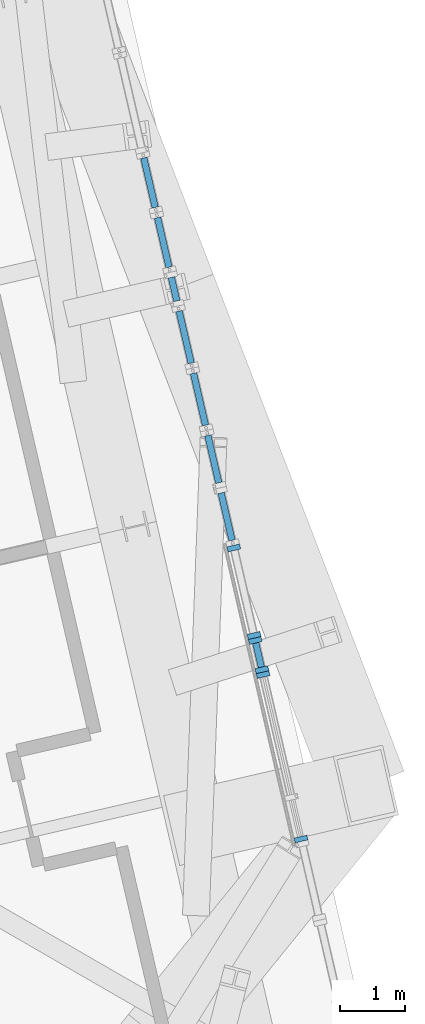
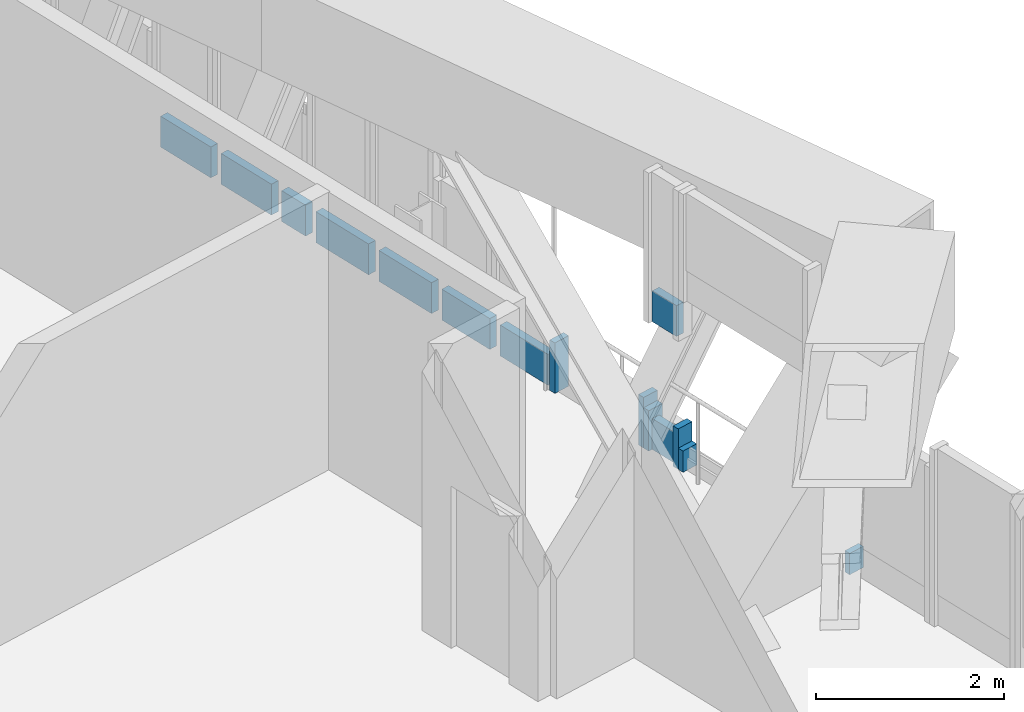
# One storey, part 12 of 31: 15 members, 11 elements without a shape of their own.
"""IFC4 building model written with IfcOpenShell, lengths in metres."""

import ifcopenshell
import ifcopenshell.guid

model = None  # the IFC model being written
_history = None  # IfcOwnerHistory: only IFC2X3 demands one
_inside = {}  # id of a spatial element -> (the spatial element, [elements in it])
_under = {}  # id of a project, library or spatial element -> (it, [spatial elements below it])
_declared = {}  # id of a project -> (the project, [libraries it declares])
_typed = {}  # id of a type object -> (the type object, [elements of that type])
_made_of = {}  # id of a material, layer set ... -> (it, [elements and type objects made of it])


def new_model(schema):
    """Start an empty IFC model of exactly this schema.

    Asked for "IFC4X3", IfcOpenShell would pick the latest addendum, in which some entities
    have other attributes; the version numbers below select the first issue.
    IFC2X3 requires an IfcOwnerHistory on every rooted entity: one is made here for all.
    """
    global model, _history
    if schema == "IFC4X3":
        model = ifcopenshell.file(schema_version=(4, 3, 0, 0))
    else:
        model = ifcopenshell.file(schema=schema)
    _inside.clear()
    _under.clear()
    _declared.clear()
    _typed.clear()
    _made_of.clear()
    _history = None
    if model.schema == "IFC2X3":
        org = make("IfcOrganization", Name="unknown")
        user = make(
            "IfcPersonAndOrganization",
            ThePerson=make("IfcPerson", FamilyName="unknown"),
            TheOrganization=org,
        )
        app = make(
            "IfcApplication",
            ApplicationDeveloper=org,
            Version="unknown",
            ApplicationFullName="unknown",
            ApplicationIdentifier="unknown",
        )
        _history = make(
            "IfcOwnerHistory",
            OwningUser=user,
            OwningApplication=app,
            ChangeAction="ADDED",
            CreationDate=0,
        )
    return model


def make(cls, **values):
    """One entity of the class cls with the attributes given. An attribute that is None is left unset."""
    return model.create_entity(
        cls, **{name: value for name, value in values.items() if value is not None}
    )


def rooted(cls, **values):
    """An entity with a GlobalId (a new one), such as an element, a storey or a relation."""
    return make(cls, GlobalId=ifcopenshell.guid.new(), OwnerHistory=_history, **values)


def si_unit(unit_type, name, prefix=None):
    """IfcSIUnit, for example si_unit("LENGTHUNIT", "METRE", prefix="MILLI")."""
    return make("IfcSIUnit", UnitType=unit_type, Prefix=prefix, Name=name)


def assignment(units):
    """IfcUnitAssignment: the units of a project."""
    return None if units is None else make("IfcUnitAssignment", Units=units)


def point(xyz):
    """IfcCartesianPoint."""
    return None if xyz is None else make("IfcCartesianPoint", Coordinates=xyz)


def direction(xyz):
    """IfcDirection."""
    return None if xyz is None else make("IfcDirection", DirectionRatios=xyz)


def frame(location, z_axis=None, x_axis=None):
    """IfcAxis2Placement3D, a coordinate frame: its origin and axes. An axis left out is left unset."""
    return make(
        "IfcAxis2Placement3D",
        Location=point(location),
        Axis=direction(z_axis),
        RefDirection=direction(x_axis),
    )


def frame_2d(location, x_axis=None):
    """IfcAxis2Placement2D, a coordinate frame in the plane: its origin and x axis."""
    return make(
        "IfcAxis2Placement2D", Location=point(location), RefDirection=direction(x_axis)
    )


def origin():
    """The frame at (0, 0, 0) with its axes left unset."""
    return frame((0.0, 0.0, 0.0))


def origin_2d():
    """The frame at (0, 0) in the plane with its x axis left unset."""
    return frame_2d((0.0, 0.0))


def place(relative_to, where):
    """IfcLocalPlacement: puts the frame where relative to a parent placement (None: the world)."""
    return make(
        "IfcLocalPlacement", PlacementRelTo=relative_to, RelativePlacement=where
    )


def context(
    kind, dimensions, precision=None, world=None, true_north=None, identifier=None
):
    """IfcGeometricRepresentationContext, for example the 3D "Model" context."""
    return make(
        "IfcGeometricRepresentationContext",
        ContextIdentifier=identifier,
        ContextType=kind,
        CoordinateSpaceDimension=dimensions,
        Precision=precision,
        WorldCoordinateSystem=world,
        TrueNorth=true_north,
    )


def subcontext(parent, identifier, kind, view, scale=None):
    """IfcGeometricRepresentationSubContext, for example "Body" below "Model"."""
    return make(
        "IfcGeometricRepresentationSubContext",
        ContextIdentifier=identifier,
        ContextType=kind,
        ParentContext=parent,
        TargetScale=scale,
        TargetView=view,
    )


def project(units=None, contexts=None):
    """IfcProject with its units and contexts."""
    return rooted(
        "IfcProject",
        Name="project",
        RepresentationContexts=contexts,
        UnitsInContext=assignment(units),
    )


def spatial(cls, under=None, at=None, **own):
    """A site, building, storey or space (cls), placed at a placement, below another one or the project."""
    s = rooted(cls, ObjectPlacement=at, **own)
    if under is not None:
        _under.setdefault(under.id(), (under, []))[1].append(s)
    return s


def profile(cls, at=None, kind="AREA", **sizes):
    """A parametric profile (cls). Its sizes go by their IFC names, for example OverallWidth=200.0."""
    return make(cls, ProfileType=kind, Position=at, **sizes)


def rectangle(**sizes):
    """IfcRectangleProfileDef."""
    return profile("IfcRectangleProfileDef", **sizes)


def extrude(swept, where, along, depth):
    """IfcExtrudedAreaSolid: the profile swept, set in the frame where, extruded along a direction by depth."""
    return make(
        "IfcExtrudedAreaSolid",
        SweptArea=swept,
        Position=where,
        ExtrudedDirection=direction(along),
        Depth=depth,
    )


def shape(context_of_items, identifier, shape_type, items):
    """IfcShapeRepresentation: the items that make up one representation, for example the "Body"."""
    return make(
        "IfcShapeRepresentation",
        ContextOfItems=context_of_items,
        RepresentationIdentifier=identifier,
        RepresentationType=shape_type,
        Items=items,
    )


def source(mapping_origin, context_of_items, identifier, shape_type, items):
    """IfcRepresentationMap: a shape defined once, which mapped items show again and again."""
    return make(
        "IfcRepresentationMap",
        MappingOrigin=mapping_origin,
        MappedRepresentation=shape(context_of_items, identifier, shape_type, items),
    )


def transform(
    local_origin,
    x_axis=None,
    y_axis=None,
    z_axis=None,
    scale=None,
    scale2=None,
    scale3=None,
    uniform=True,
):
    """IfcCartesianTransformationOperator3D, or its non-uniform kind. x_axis, y_axis, z_axis: its Axis1, 2, 3."""
    if uniform:
        return make(
            "IfcCartesianTransformationOperator3D",
            Axis1=direction(x_axis),
            Axis2=direction(y_axis),
            LocalOrigin=point(local_origin),
            Scale=scale,
            Axis3=direction(z_axis),
        )
    return make(
        "IfcCartesianTransformationOperator3DnonUniform",
        Axis1=direction(x_axis),
        Axis2=direction(y_axis),
        LocalOrigin=point(local_origin),
        Scale=scale,
        Axis3=direction(z_axis),
        Scale2=scale2,
        Scale3=scale3,
    )


def mapped(mapping_source, mapping_target):
    """IfcMappedItem: shows the shape of a source again, moved by a transform."""
    return make(
        "IfcMappedItem", MappingSource=mapping_source, MappingTarget=mapping_target
    )


def material(Name=None, Category=None):
    """IfcMaterial."""
    return make("IfcMaterial", Name=Name, Category=Category)


def material_profile(
    of_material, cross_section, Name=None, Category=None, Priority=None
):
    """IfcMaterialProfile: a cross section and its material."""
    return make(
        "IfcMaterialProfile",
        Name=Name,
        Material=of_material,
        Profile=cross_section,
        Priority=Priority,
        Category=Category,
    )


def profile_set(profiles, Name=None, composite=None):
    """IfcMaterialProfileSet."""
    return make(
        "IfcMaterialProfileSet",
        Name=Name,
        MaterialProfiles=profiles,
        CompositeProfile=composite,
    )


def made_of(thing, what):
    """Note that an element or type object is made of a material, layer set ...; save() writes the relation."""
    if what is not None:
        _made_of.setdefault(what.id(), (what, []))[1].append(thing)
    return thing


def type_object(cls, material=None, **own):
    """A type object (cls), such as IfcWallType, which elements share."""
    return made_of(rooted(cls, **own), material)


def element(
    cls,
    number,
    at=None,
    inside=None,
    cuts=None,
    type_object=None,
    material=None,
    context=None,
    identifier="Body",
    shape_type=None,
    held_by="IfcProductDefinitionShape",
    body=None,
    shapes=None,
    **own,
):
    """One element of the class cls, such as IfcWall. Its Tag is "e" and its number.

    at: its placement. inside: the storey or other place that contains it. cuts: it is an
    opening in that element (IfcRelVoidsElement). A single representation is given by context,
    identifier, shape_type and body (its items); several are given by shapes. held_by: the class
    of the entity that holds the representations. save() writes the other relations.
    """
    e = rooted(cls, Tag="e%d" % number, ObjectPlacement=at, **own)
    if body is not None:
        shapes = [shape(context, identifier, shape_type, body)]
    if shapes is not None:
        e.Representation = make(held_by, Representations=shapes)
    if inside is not None:
        _inside.setdefault(inside.id(), (inside, []))[1].append(e)
    if cuts is not None:
        rooted(
            "IfcRelVoidsElement", RelatingBuildingElement=cuts, RelatedOpeningElement=e
        )
    if type_object is not None:
        _typed.setdefault(type_object.id(), (type_object, []))[1].append(e)
    return made_of(e, material)


def aggregate(whole, parts):
    """IfcRelAggregates: a whole, such as a stair, and the parts it consists of."""
    return rooted("IfcRelAggregates", RelatingObject=whole, RelatedObjects=parts)


def save(model, path):
    """Write the relations noted so far, then the file.

    IfcRelAggregates (storeys below a building ...), IfcRelContainedInSpatialStructure (elements
    in a storey), IfcRelDefinesByType, IfcRelAssociatesMaterial and IfcRelDeclares: one each for
    every whole, place, type object, material and project.
    """
    for whole, parts in _under.values():
        aggregate(whole, parts)
    for where, things in _inside.values():
        rooted(
            "IfcRelContainedInSpatialStructure",
            RelatedElements=things,
            RelatingStructure=where,
        )
    for kind, things in _typed.values():
        rooted("IfcRelDefinesByType", RelatedObjects=things, RelatingType=kind)
    for what, things in _made_of.values():
        rooted("IfcRelAssociatesMaterial", RelatedObjects=things, RelatingMaterial=what)
    for by, libraries in _declared.values():
        rooted("IfcRelDeclares", RelatingContext=by, RelatedDefinitions=libraries)
    model.write(path)


model = new_model("IFC4")

# Units and contexts
model_context = context("Model", 3, precision=1e-05, world=origin(), true_north=direction((0.0, 1.0)))
body_context = subcontext(model_context, "Body", "Model", "MODEL_VIEW")
ifc_project = project(units=[si_unit("LENGTHUNIT", "METRE"), si_unit("AREAUNIT", "SQUARE_METRE"), si_unit("VOLUMEUNIT", "CUBIC_METRE"), si_unit("PLANEANGLEUNIT", "RADIAN"), si_unit("MASSUNIT", "GRAM", prefix="KILO")], contexts=[model_context])

# Site, building, storey
site_placement = place(None, origin())
site = spatial("IfcSite", under=ifc_project, at=site_placement, CompositionType="ELEMENT")
building_placement = place(site_placement, origin())
building = spatial("IfcBuilding", under=site, at=building_placement, Name="Triune Harvest Tower", CompositionType="ELEMENT")
storey_placement = place(building_placement, frame((0.0, 0.0, 134.300048828125)))
storey = spatial("IfcBuildingStorey", under=building, at=storey_placement, Name="L34", CompositionType="ELEMENT", Elevation=134.300048828125)

# Curtain wall, member
ifc_material_1 = material(Name="Aluminium bronze anodised", Category="aluminium")
curtain_wall_type_1 = type_object("IfcCurtainWallType", Name="CW-5 Plant louvre wall", PredefinedType="NOTDEFINED", material=ifc_material_1)
curtain_wall_1_placement = place(storey_placement, origin())
curtain_wall_1 = element("IfcCurtainWall", 1, at=curtain_wall_1_placement, inside=storey, type_object=curtain_wall_type_1, Name="CW-5 B3-F1 L34 run 1101")
ifc_material_2 = material(Name="Aluminium bronze anodised", Category="aluminium")
ifc_material_profile_1 = material_profile(ifc_material_2, rectangle(XDim=0.10009765625, YDim=0.39990234375, at=origin_2d()), Name="TR-5 transom 100 x 400")
ifc_profile_set_1 = profile_set([ifc_material_profile_1], Name="Aluminium bronze anodised")
member_type_1 = type_object("IfcMemberType", Name="TR-5 transom 100 x 400", PredefinedType="USERDEFINED", material=ifc_profile_set_1)
member_1_placement = place(storey_placement, frame((24.518798828125, -8.295654296875, 0.199951171875), z_axis=(-0.224715541006, 0.974424407345, 0.0), x_axis=(-0.974424407345, -0.224715541006, 0.0)))
member_1 = element("IfcMember", 2, at=member_1_placement, type_object=member_type_1, Name="CW-5 transom B3-F1 1101.1", ObjectType="TRANSOM", PredefinedType="USERDEFINED", context=body_context, shape_type="SweptSolid", body=[
    extrude(rectangle(XDim=0.10009765625, YDim=0.39990234375, at=origin_2d()), origin(), (0.0, 0.0, 1.0), 0.37158203125),
])
aggregate(curtain_wall_1, [member_1])

curtain_wall_2_placement = place(storey_placement, origin())
curtain_wall_2 = element("IfcCurtainWall", 3, at=curtain_wall_2_placement, inside=storey, type_object=curtain_wall_type_1, Name="CW-5 B3-F1 L34 run 1201")
member_2_placement = place(storey_placement, frame((24.399169921875, -7.77783203125, 0.199951171875), z_axis=(-0.224791100613, 0.974406979185, 0.0), x_axis=(-0.974406979185, -0.224791100613, 0.0)))
member_2 = element("IfcMember", 4, at=member_2_placement, type_object=member_type_1, Name="CW-5 transom B3-F1 1201.1", ObjectType="TRANSOM", PredefinedType="USERDEFINED", context=body_context, shape_type="SweptSolid", body=[
    extrude(rectangle(XDim=0.10009765625, YDim=0.39990234375, at=origin_2d()), origin(), (0.0, 0.0, 1.0), 0.781982421875),
])
aggregate(curtain_wall_2, [member_2])

# Curtain wall, members
curtain_wall_3_placement = place(storey_placement, origin())
curtain_wall_3 = element("IfcCurtainWall", 5, at=curtain_wall_3_placement, inside=storey, type_object=curtain_wall_type_1, Name="CW-5 B3-F1 L34 run 401")
ifc_material_3 = material(Name="Aluminium bronze anodised", Category="aluminium")
ifc_material_profile_2 = material_profile(ifc_material_3, rectangle(XDim=0.199951171875, YDim=0.080078125, at=origin_2d()), Name="MU-5 mullion 80 x 200")
ifc_profile_set_2 = profile_set([ifc_material_profile_2], Name="Aluminium bronze anodised")
member_type_2 = type_object("IfcMemberType", Name="MU-5 mullion 80 x 200", PredefinedType="MULLION", material=ifc_profile_set_2)
shared_shape_1 = source(origin(), body_context, "Body", "SweptSolid", [
    extrude(rectangle(XDim=0.199951171875, YDim=0.080078125, at=origin_2d()), origin(), (0.0, 0.0, 1.0), 0.5234375),
])
member_3_placement = place(storey_placement, frame((25.826416015625, -13.95947265625, 0.0), z_axis=(0.0, 0.0, 1.0), x_axis=(-0.974378694007, -0.224913673807, 0.0)))
member_3 = element("IfcMember", 6, at=member_3_placement, type_object=member_type_2, Name="CW-5 mullion B3-F1 401.1", PredefinedType="MULLION", context=body_context, shape_type="MappedRepresentation", body=[
    mapped(shared_shape_1, transform((0.0, 0.0, 0.0), scale=1.0)),
])
member_4_placement = place(storey_placement, frame((25.72314453125, -13.511962890625, 0.0), z_axis=(0.0, 0.0, 1.0), x_axis=(-0.974378694007, -0.224913673807, 0.0)))
member_4 = element("IfcMember", 7, at=member_4_placement, type_object=member_type_2, Name="CW-5 mullion B3-F1 401.2", PredefinedType="MULLION", context=body_context, shape_type="MappedRepresentation", body=[
    mapped(shared_shape_1, transform((0.0, 0.0, 0.0), scale=1.0)),
])
shared_shape_2 = source(origin(), body_context, "Body", "SweptSolid", [
    extrude(rectangle(XDim=0.10009765625, YDim=0.39990234375, at=origin_2d()), origin(), (0.0, 0.0, 1.0), 0.37939453125),
])
member_5_placement = place(storey_placement, frame((25.8173828125, -13.920654296875, 0.199951171875), z_axis=(-0.224624469242, 0.974445405252, 0.0), x_axis=(-0.974445405252, -0.224624469242, 0.0)))
member_5 = element("IfcMember", 8, at=member_5_placement, type_object=member_type_1, Name="CW-5 transom B3-F1 401.1", ObjectType="TRANSOM", PredefinedType="USERDEFINED", context=body_context, shape_type="MappedRepresentation", body=[
    mapped(shared_shape_2, transform((0.0, 0.0, 0.0), scale=1.0)),
])
aggregate(curtain_wall_3, [member_3, member_4, member_5])

# Curtain wall, member
curtain_wall_4_placement = place(storey_placement, origin())
curtain_wall_4 = element("IfcCurtainWall", 9, at=curtain_wall_4_placement, inside=storey, type_object=curtain_wall_type_1, Name="CW-5 B3-F1 L34 run 501")
member_6_placement = place(storey_placement, frame((25.8173828125, -13.920654296875, 1.85546875), z_axis=(-0.224624469242, 0.974445405252, 0.0), x_axis=(-0.974445405252, -0.224624469242, 0.0)))
member_6 = element("IfcMember", 10, at=member_6_placement, type_object=member_type_1, Name="CW-5 transom B3-F1 501.1", ObjectType="TRANSOM", PredefinedType="USERDEFINED", context=body_context, shape_type="MappedRepresentation", body=[
    mapped(shared_shape_2, transform((0.0, 0.0, 0.0), scale=1.0)),
])
aggregate(curtain_wall_4, [member_6])

# Curtain wall, members
curtain_wall_5_placement = place(storey_placement, origin())
curtain_wall_5 = element("IfcCurtainWall", 11, at=curtain_wall_5_placement, inside=storey, type_object=curtain_wall_type_1, Name="CW-5 B3-F1 L34 run 601")
shared_shape_3 = source(origin(), body_context, "Body", "SweptSolid", [
    extrude(rectangle(XDim=0.199951171875, YDim=0.080078125, at=origin_2d()), origin(), (0.0, 0.0, 1.0), 0.654541015625),
])
member_7_placement = place(storey_placement, frame((25.705078125, -13.43408203125, 0.0), z_axis=(0.0, 0.0, 1.0), x_axis=(-0.974360018856, -0.224994563611, 0.0)))
member_7 = element("IfcMember", 12, at=member_7_placement, type_object=member_type_2, Name="CW-5 mullion B3-F1 601.1", PredefinedType="MULLION", context=body_context, shape_type="MappedRepresentation", body=[
    mapped(shared_shape_3, transform((0.0, 0.0, 0.0), scale=1.0)),
])
member_8_placement = place(storey_placement, frame((25.39453125, -12.08935546875, 0.0), z_axis=(0.0, 0.0, 1.0), x_axis=(-0.974360018856, -0.224994563611, 0.0)))
member_8 = element("IfcMember", 13, at=member_8_placement, type_object=member_type_2, Name="CW-5 mullion B3-F1 601.2", PredefinedType="MULLION", context=body_context, shape_type="MappedRepresentation", body=[
    mapped(shared_shape_3, transform((0.0, 0.0, 0.0), scale=1.0)),
])
aggregate(curtain_wall_5, [member_7, member_8])

# Curtain wall, member
curtain_wall_6_placement = place(storey_placement, origin())
curtain_wall_6 = element("IfcCurtainWall", 14, at=curtain_wall_6_placement, inside=storey, type_object=curtain_wall_type_1, Name="CW-5 B3-F1 L34 run 701")
shared_shape_4 = source(origin(), body_context, "Body", "SweptSolid", [
    extrude(rectangle(XDim=0.10009765625, YDim=0.39990234375, at=origin_2d()), origin(), (0.0, 0.0, 1.0), 0.74658203125),
])
member_9_placement = place(storey_placement, frame((25.36767578125, -11.972412109375, 0.199951171875), z_axis=(-0.224955024802, 0.974369148124, 0.0), x_axis=(-0.974369148124, -0.224955024802, 0.0)))
member_9 = element("IfcMember", 15, at=member_9_placement, type_object=member_type_1, Name="CW-5 transom B3-F1 701.1", ObjectType="TRANSOM", PredefinedType="USERDEFINED", context=body_context, shape_type="MappedRepresentation", body=[
    mapped(shared_shape_4, transform((0.0, 0.0, 0.0), scale=1.0)),
])
aggregate(curtain_wall_6, [member_9])

curtain_wall_7_placement = place(storey_placement, origin())
curtain_wall_7 = element("IfcCurtainWall", 16, at=curtain_wall_7_placement, inside=storey, type_object=curtain_wall_type_1, Name="CW-5 B3-F1 L34 run 801")
shared_shape_5 = source(origin(), body_context, "Body", "SweptSolid", [
    extrude(rectangle(XDim=0.10009765625, YDim=0.39990234375, at=origin_2d()), origin(), (0.0, 0.0, 1.0), 0.746826171875),
])
member_10_placement = place(storey_placement, frame((25.163818359375, -11.089111328125, 0.199951171875), z_axis=(-0.225265413838, 0.97429743576, 0.0), x_axis=(-0.97429743576, -0.225265413838, 0.0)))
member_10 = element("IfcMember", 17, at=member_10_placement, type_object=member_type_1, Name="CW-5 transom B3-F1 801.1", ObjectType="TRANSOM", PredefinedType="USERDEFINED", context=body_context, shape_type="MappedRepresentation", body=[
    mapped(shared_shape_5, transform((0.0, 0.0, 0.0), scale=1.0)),
])
aggregate(curtain_wall_7, [member_10])

curtain_wall_8_placement = place(storey_placement, origin())
curtain_wall_8 = element("IfcCurtainWall", 18, at=curtain_wall_8_placement, inside=storey, type_object=curtain_wall_type_1, Name="CW-5 B3-F1 L34 run 901")
shared_shape_6 = source(origin(), body_context, "Body", "SweptSolid", [
    extrude(rectangle(XDim=0.10009765625, YDim=0.39990234375, at=origin_2d()), origin(), (0.0, 0.0, 1.0), 0.820068359375),
])
member_11_placement = place(storey_placement, frame((24.959716796875, -10.20556640625, 0.199951171875), z_axis=(-0.225055176141, 0.974346020514, 0.0), x_axis=(-0.974346020514, -0.225055176141, 0.0)))
member_11 = element("IfcMember", 19, at=member_11_placement, type_object=member_type_1, Name="CW-5 transom B3-F1 901.1", ObjectType="TRANSOM", PredefinedType="USERDEFINED", context=body_context, shape_type="MappedRepresentation", body=[
    mapped(shared_shape_6, transform((0.0, 0.0, 0.0), scale=1.0)),
])
aggregate(curtain_wall_8, [member_11])

curtain_wall_9_placement = place(storey_placement, origin())
curtain_wall_9 = element("IfcCurtainWall", 20, at=curtain_wall_9_placement, inside=storey, type_object=curtain_wall_type_1, Name="CW-5 B3-F1 L34 run 1001")
member_12_placement = place(storey_placement, frame((24.7392578125, -9.250732421875, 0.199951171875), z_axis=(-0.225055176141, 0.974346020514, 0.0), x_axis=(-0.974346020514, -0.225055176141, 0.0)))
member_12 = element("IfcMember", 21, at=member_12_placement, type_object=member_type_1, Name="CW-5 transom B3-F1 1001.1", ObjectType="TRANSOM", PredefinedType="USERDEFINED", context=body_context, shape_type="MappedRepresentation", body=[
    mapped(shared_shape_6, transform((0.0, 0.0, 0.0), scale=1.0)),
])
aggregate(curtain_wall_9, [member_12])

curtain_wall_10_placement = place(storey_placement, origin())
curtain_wall_10 = element("IfcCurtainWall", 22, at=curtain_wall_10_placement, inside=storey, type_object=curtain_wall_type_1, Name="CW-5 B3-F1 L34 run 1301")
shared_shape_7 = source(origin(), body_context, "Body", "SweptSolid", [
    extrude(rectangle(XDim=0.10009765625, YDim=0.39990234375, at=origin_2d()), origin(), (0.0, 0.0, 1.0), 0.78173828125),
])
member_13_placement = place(storey_placement, frame((24.187255859375, -6.85986328125, 0.199951171875), z_axis=(-0.224859506699, 0.974391195695, 0.0), x_axis=(-0.974391195695, -0.224859506699, 0.0)))
member_13 = element("IfcMember", 23, at=member_13_placement, type_object=member_type_1, Name="CW-5 transom B3-F1 1301.1", ObjectType="TRANSOM", PredefinedType="USERDEFINED", context=body_context, shape_type="MappedRepresentation", body=[
    mapped(shared_shape_7, transform((0.0, 0.0, 0.0), scale=1.0)),
])
aggregate(curtain_wall_10, [member_13])

# Curtain wall, members
ifc_material_4 = material(Name="Aluminium bronze anodised", Category="aluminium")
curtain_wall_type_2 = type_object("IfcCurtainWallType", Name="CW-6 Balcony window wall", PredefinedType="NOTDEFINED", material=ifc_material_4)
curtain_wall_11_placement = place(storey_placement, origin())
curtain_wall_11 = element("IfcCurtainWall", 24, at=curtain_wall_11_placement, inside=storey, type_object=curtain_wall_type_2, Name="CW-6 B3-F1 L34 run 1701")
ifc_material_5 = material(Name="Aluminium bronze anodised", Category="aluminium")
ifc_material_profile_3 = material_profile(ifc_material_5, rectangle(XDim=0.199951171875, YDim=0.074951171875, at=origin_2d()), Name="MU-6 mullion 75 x 200")
ifc_profile_set_3 = profile_set([ifc_material_profile_3], Name="Aluminium bronze anodised")
member_type_3 = type_object("IfcMemberType", Name="MU-6 mullion 75 x 200", PredefinedType="MULLION", material=ifc_profile_set_3)
shared_shape_8 = source(origin(), body_context, "Body", "SweptSolid", [
    extrude(rectangle(XDim=0.199951171875, YDim=0.074951171875, at=origin_2d()), origin(), (0.0, 0.0, 1.0), 0.275146484375),
])
member_14_placement = place(storey_placement, frame((26.4267578125, -16.560546875, 0.0), z_axis=(0.0, 0.0, 1.0), x_axis=(-0.974370968417, -0.224947140249, 0.0)))
member_14 = element("IfcMember", 25, at=member_14_placement, type_object=member_type_3, Name="CW-6 mullion B3-F1 1701.1", PredefinedType="MULLION", context=body_context, shape_type="MappedRepresentation", body=[
    mapped(shared_shape_8, transform((0.0, 0.0, 0.0), scale=1.0)),
])
member_15_placement = place(storey_placement, frame((25.84375, -14.03515625, 0.0), z_axis=(0.0, 0.0, 1.0), x_axis=(-0.974370968417, -0.224947140249, 0.0)))
member_15 = element("IfcMember", 26, at=member_15_placement, type_object=member_type_3, Name="CW-6 mullion B3-F1 1701.2", PredefinedType="MULLION", context=body_context, shape_type="MappedRepresentation", body=[
    mapped(shared_shape_8, transform((0.0, 0.0, 0.0), scale=1.0)),
])
aggregate(curtain_wall_11, [member_14, member_15])

save(model, "model.ifc")
